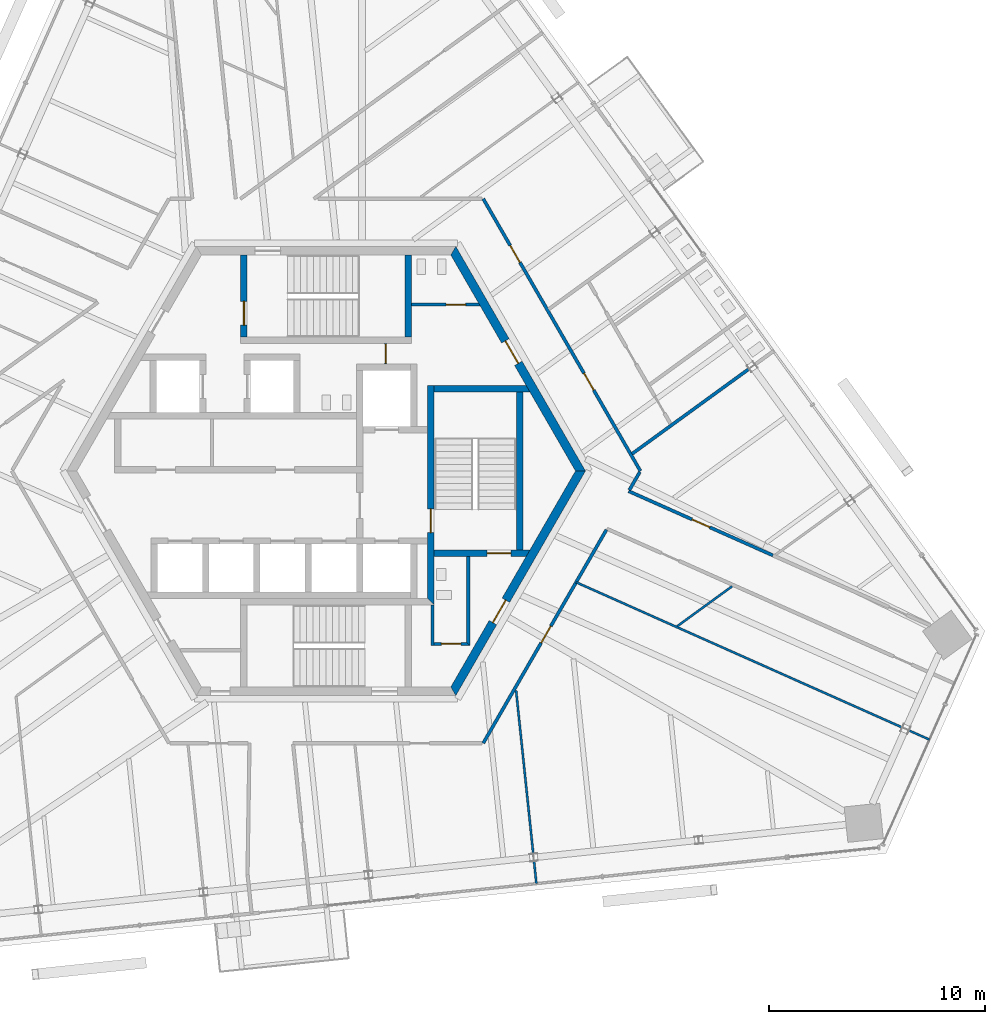
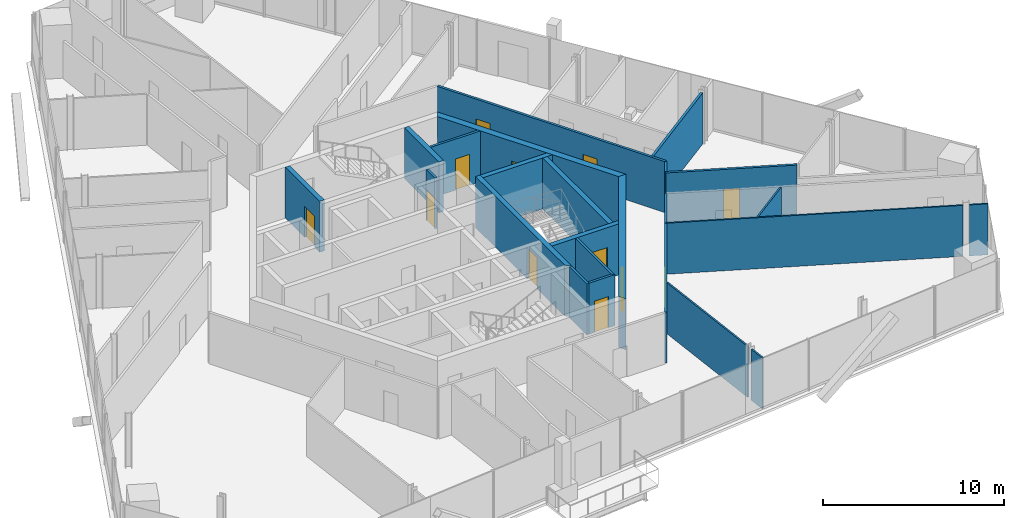
# One storey, part 13 of 19: 23 walls, 12 doors, 12 openings.
"""IFC4 building model written with IfcOpenShell, lengths in metres."""

from ifc_helpers import new_model, si_unit, direction, frame, frame_2d, origin, place, context, subcontext, project, spatial, polyline, rectangle, outline, extrude, source, transform, mapped, material, layer, layer_set, type_object, element, fill, save


model = new_model("IFC4")

# Units and contexts
model_context = context("Model", 3, precision=1e-05, world=origin(), true_north=direction((0.0, 1.0)))
body_context = subcontext(model_context, "Body", "Model", "MODEL_VIEW")
ifc_project = project(units=[si_unit("LENGTHUNIT", "METRE"), si_unit("AREAUNIT", "SQUARE_METRE"), si_unit("VOLUMEUNIT", "CUBIC_METRE"), si_unit("PLANEANGLEUNIT", "RADIAN"), si_unit("MASSUNIT", "GRAM", prefix="KILO")], contexts=[model_context])

# Site, building, storey
site_placement = place(None, origin())
site = spatial("IfcSite", under=ifc_project, at=site_placement, CompositionType="ELEMENT")
building_placement = place(site_placement, origin())
building = spatial("IfcBuilding", under=site, at=building_placement, Name="Triune Harvest Tower", CompositionType="ELEMENT")
storey_placement = place(building_placement, frame((0.0, 0.0, 244.89990234375)))
storey = spatial("IfcBuildingStorey", under=building, at=storey_placement, Name="L64", CompositionType="ELEMENT", Elevation=244.89990234375)

# Wall, opening, door
ifc_material_1 = material(Name="Gypsum board on steel studs", Category="steel")
ifc_layer_1 = layer(ifc_material_1, 0.14990234375)
ifc_layer_set_1 = layer_set([ifc_layer_1], Name="Gypsum board on steel studs")
wall_type_1 = type_object("IfcWallType", Name="Fire Partition 150 mm", PredefinedType="PARTITIONING", material=ifc_layer_set_1)
wall_1_placement = place(storey_placement, frame((14.000244140625, -0.935546875, 0.0), z_axis=(0.0, 0.0, 1.0), x_axis=(0.913546612012, -0.40673405031, 0.0)))
wall_1 = element("IfcWall", 1, at=wall_1_placement, inside=storey, type_object=wall_type_1, Name="Partition L64 026", PredefinedType="PARTITIONING", context=body_context, shape_type="SweptSolid", body=[
    extrude(rectangle(XDim=7.301513671875, YDim=0.14990234375, at=frame_2d((3.65087890625, 0.0))), origin(), (0.0, 0.0, 1.0), 3.440185546875),
])
opening_1_placement = place(wall_1_placement, frame((3.208740234375, 0.0, 0.0)))
opening_1 = element("IfcOpeningElement", 2, at=opening_1_placement, cuts=wall_1, Name="Opening L64-003", PredefinedType="OPENING", context=body_context, shape_type="SweptSolid", body=[
    extrude(rectangle(XDim=0.89990234375, YDim=2.10009765625, at=frame_2d((0.449951171875, 1.050048828125))), frame((0.0, 0.0849609375, 0.0), z_axis=(0.0, -1.0, 0.0), x_axis=(1.0, 0.0, 0.0)), (0.0, 0.0, 1.0), 0.169921875),
])
ifc_material_2 = material(Name="Timber and steel door set", Category="steel")
door_type_1 = type_object("IfcDoorType", Name="Single leaf door FD30 left hand 900 x 2100", OperationType="SINGLE_SWING_LEFT", PredefinedType="DOOR", material=ifc_material_2)
door_1_placement = place(opening_1_placement, origin())
door_1 = element("IfcDoor", 3, at=door_1_placement, inside=storey, type_object=door_type_1, Name="Door L64-003 Project Room 64.03", OperationType="SINGLE_SWING_LEFT", OverallHeight=2.10009765625, OverallWidth=0.89990234375, PredefinedType="DOOR", context=body_context, shape_type="SweptSolid", body=[
    extrude(rectangle(XDim=0.89990234375, YDim=2.10009765625, at=frame_2d((0.449951171875, 1.050048828125))), frame((0.0, 0.02490234375, 0.0), z_axis=(0.0, -1.0, 0.0), x_axis=(1.0, 0.0, 0.0)), (0.0, 0.0, 1.0), 0.050048828125),
])
fill(opening_1, door_1)

# Wall
wall_2_placement = place(storey_placement, frame((14.15283203125, 0.790283203125, 0.0), z_axis=(0.0, 0.0, 1.0), x_axis=(0.809008364144, 0.587797130602, 0.0)))
element("IfcWall", 4, at=wall_2_placement, inside=storey, type_object=wall_type_1, Name="Partition L64 039", PredefinedType="PARTITIONING", context=body_context, shape_type="SweptSolid", body=[
    extrude(rectangle(XDim=6.705810546875, YDim=0.14990234375, at=frame_2d((3.35302734375, 0.0))), origin(), (0.0, 0.0, 1.0), 3.440185546875),
])

# Wall, opening, door
wall_3_placement = place(storey_placement, frame((7.2705078125, -12.59228515625, 0.0), z_axis=(0.0, 0.0, 1.0), x_axis=(0.499972122318, 0.866041498374, 0.0)))
wall_3 = element("IfcWall", 5, at=wall_3_placement, inside=storey, type_object=wall_type_1, Name="Partition L64 053", PredefinedType="PARTITIONING", context=body_context, shape_type="SweptSolid", body=[
    extrude(rectangle(XDim=11.399169921875, YDim=0.14990234375, at=frame_2d((5.69970703125, 0.0))), origin(), (0.0, 0.0, 1.0), 3.440185546875),
])
opening_2_placement = place(wall_3_placement, frame((5.353515625, 0.0, 0.0)))
opening_2 = element("IfcOpeningElement", 6, at=opening_2_placement, cuts=wall_3, Name="Opening L64-024", PredefinedType="OPENING", context=body_context, shape_type="SweptSolid", body=[
    extrude(rectangle(XDim=0.89990234375, YDim=2.10009765625, at=frame_2d((0.449951171875, 1.050048828125))), frame((0.0, 0.0849609375, 0.0), z_axis=(0.0, -1.0, 0.0), x_axis=(1.0, 0.0, 0.0)), (0.0, 0.0, 1.0), 0.169921875),
])
door_2_placement = place(opening_2_placement, origin())
door_2 = element("IfcDoor", 7, at=door_2_placement, inside=storey, type_object=door_type_1, Name="Door L64-024 Pantry 64.24", OperationType="SINGLE_SWING_LEFT", OverallHeight=2.10009765625, OverallWidth=0.89990234375, PredefinedType="DOOR", context=body_context, shape_type="SweptSolid", body=[
    extrude(rectangle(XDim=0.89990234375, YDim=2.10009765625, at=frame_2d((0.449951171875, 1.050048828125))), frame((0.0, 0.02490234375, 0.0), z_axis=(0.0, -1.0, 0.0), x_axis=(1.0, 0.0, 0.0)), (0.0, 0.0, 1.0), 0.050048828125),
])
fill(opening_2, door_2)

# Walls
ifc_material_3 = material(Name="Gypsum board on steel studs", Category="steel")
ifc_layer_2 = layer(ifc_material_3, 0.10009765625)
ifc_layer_set_2 = layer_set([ifc_layer_2], Name="Gypsum board on steel studs")
wall_type_2 = type_object("IfcWallType", Name="Partition 100 mm", PredefinedType="PARTITIONING", material=ifc_layer_set_2)
wall_4_placement = place(storey_placement, frame((8.78857421875, -10.150390625, 0.0), z_axis=(0.0, 0.0, 1.0), x_axis=(0.104536087369, -0.994521094013, 0.0)))
element("IfcWall", 8, at=wall_4_placement, inside=storey, type_object=wall_type_2, Name="Partition L64 013", PredefinedType="PARTITIONING", context=body_context, shape_type="SweptSolid", body=[
    extrude(rectangle(XDim=7.606689453125, YDim=0.10009765625, at=frame_2d((3.80322265625, 0.0))), origin(), (0.0, 0.0, 1.0), 3.440185546875),
])
wall_5_placement = place(storey_placement, frame((11.56689453125, -5.14990234375, 0.0), z_axis=(0.0, 0.0, 1.0), x_axis=(0.913548030492, -0.406730864311, 0.0)))
element("IfcWall", 9, at=wall_5_placement, inside=storey, type_object=wall_type_2, Name="Partition L64 021", PredefinedType="PARTITIONING", context=body_context, shape_type="SweptSolid", body=[
    extrude(rectangle(XDim=16.5166015625, YDim=0.10009765625, at=frame_2d((8.25830078125, 0.0))), origin(), (0.0, 0.0, 1.0), 3.440185546875),
])
wall_6_placement = place(storey_placement, frame((16.250244140625, -7.177978515625, 0.0), z_axis=(0.0, 0.0, 1.0), x_axis=(0.809046416556, 0.587744754003, 0.0)))
element("IfcWall", 10, at=wall_6_placement, inside=storey, type_object=wall_type_2, Name="Partition L64 036", PredefinedType="PARTITIONING", context=body_context, shape_type="SweptSolid", body=[
    extrude(rectangle(XDim=3.128662109375, YDim=0.10009765625, at=frame_2d((1.564453125, 0.0))), origin(), (0.0, 0.0, 1.0), 3.440185546875),
])

# Wall, opening, door
ifc_material_4 = material(Name="Concrete 70 MPa", Category="concrete")
ifc_layer_3 = layer(ifc_material_4, 0.39990234375)
ifc_layer_set_3 = layer_set([ifc_layer_3], Name="Concrete 70 MPa")
wall_type_3 = type_object("IfcWallType", Name="Core wall 400", PredefinedType="SHEAR", material=ifc_layer_set_3)
shared_shape_1 = source(origin(), body_context, "Body", "SweptSolid", [
    extrude(outline(polyline([(-0.115478515625, -0.199951171875), (11.884521484375, -0.199951171875), (11.653564453125, 0.199951171875), (0.115478515625, 0.199951171875), (-0.115478515625, -0.199951171875)])), origin(), (0.0, 0.0, 1.0), 3.440185546875),
])
wall_7_placement = place(storey_placement, frame((11.76904296875, 0.0, 0.0), z_axis=(0.0, 0.0, 1.0), x_axis=(-0.499996592174, 0.866027371285, 0.0)))
wall_7 = element("IfcWall", 11, at=wall_7_placement, inside=storey, type_object=wall_type_3, Name="Hexagon 0 wall", PredefinedType="SHEAR", context=body_context, shape_type="MappedRepresentation", body=[
    mapped(shared_shape_1, transform((0.0, 0.0, 0.0), scale=1.0)),
])
opening_3_placement = place(wall_7_placement, frame((5.75048828125, 0.0, 0.0)))
opening_3 = element("IfcOpeningElement", 12, at=opening_3_placement, cuts=wall_7, Name="Opening CD-WCP", PredefinedType="OPENING", context=body_context, shape_type="SweptSolid", body=[
    extrude(rectangle(XDim=1.199951171875, YDim=2.10009765625, at=frame_2d((0.60009765625, 1.050048828125))), frame((0.0, 0.2099609375, 0.0), z_axis=(0.0, -1.0, 0.0), x_axis=(1.0, 0.0, 0.0)), (0.0, 0.0, 1.0), 0.419921875),
])
ifc_material_5 = material(Name="Steel S235", Category="steel")
door_type_2 = type_object("IfcDoorType", Name="Lobby door 1200 FD120", OperationType="SINGLE_SWING_LEFT", PredefinedType="DOOR", material=ifc_material_5)
door_3_placement = place(opening_3_placement, frame((1.199951171875, 0.0, 0.0), z_axis=(0.0, 0.0, 1.0), x_axis=(-1.0, 0.0, 0.0)))
door_3 = element("IfcDoor", 13, at=door_3_placement, inside=storey, type_object=door_type_2, Name="Door CD-WCP", OperationType="SINGLE_SWING_RIGHT", OverallHeight=2.10009765625, OverallWidth=1.199951171875, PredefinedType="DOOR", context=body_context, shape_type="SweptSolid", body=[
    extrude(rectangle(XDim=1.199951171875, YDim=2.10009765625, at=frame_2d((0.60009765625, 1.050048828125))), frame((0.0, 0.02490234375, 0.0), z_axis=(0.0, -1.0, 0.0), x_axis=(1.0, 0.0, 0.0)), (0.0, 0.0, 1.0), 0.050048828125),
])
fill(opening_3, door_3)

wall_8_placement = place(storey_placement, frame((5.884521484375, -10.1923828125, 0.0), z_axis=(0.0, 0.0, 1.0), x_axis=(0.499996592174, 0.866027371285, 0.0)))
wall_8 = element("IfcWall", 14, at=wall_8_placement, inside=storey, type_object=wall_type_3, Name="Hexagon 5 wall", PredefinedType="SHEAR", context=body_context, shape_type="MappedRepresentation", body=[
    mapped(shared_shape_1, transform((0.0, 0.0, 0.0), scale=1.0)),
])
opening_4_placement = place(wall_8_placement, frame((3.66455078125, 0.0, 0.0)))
opening_4 = element("IfcOpeningElement", 15, at=opening_4_placement, cuts=wall_8, Name="Opening CD-DP", PredefinedType="OPENING", context=body_context, shape_type="SweptSolid", body=[
    extrude(rectangle(XDim=1.199951171875, YDim=2.10009765625, at=frame_2d((0.60009765625, 1.050048828125))), frame((0.0, 0.2099609375, 0.0), z_axis=(0.0, -1.0, 0.0), x_axis=(1.0, 0.0, 0.0)), (0.0, 0.0, 1.0), 0.419921875),
])
ifc_material_6 = material(Name="Steel S235", Category="steel")
door_type_3 = type_object("IfcDoorType", Name="Stair door 1200 FD120", OperationType="SINGLE_SWING_LEFT", PredefinedType="DOOR", material=ifc_material_6)
door_4_placement = place(opening_4_placement, frame((1.199951171875, 0.0, 0.0), z_axis=(0.0, 0.0, 1.0), x_axis=(-1.0, 0.0, 0.0)))
door_4 = element("IfcDoor", 16, at=door_4_placement, inside=storey, type_object=door_type_3, Name="Door CD-DP", OperationType="SINGLE_SWING_RIGHT", OverallHeight=2.10009765625, OverallWidth=1.199951171875, PredefinedType="DOOR", context=body_context, shape_type="SweptSolid", body=[
    extrude(rectangle(XDim=1.199951171875, YDim=2.10009765625, at=frame_2d((0.60009765625, 1.050048828125))), frame((0.0, 0.02490234375, 0.0), z_axis=(0.0, -1.0, 0.0), x_axis=(1.0, 0.0, 0.0)), (0.0, 0.0, 1.0), 0.050048828125),
])
fill(opening_4, door_4)

ifc_material_7 = material(Name="Concrete 70 MPa", Category="concrete")
ifc_layer_4 = layer(ifc_material_7, 0.300048828125)
ifc_layer_set_4 = layer_set([ifc_layer_4], Name="Concrete 70 MPa")
wall_type_4 = type_object("IfcWallType", Name="Core wall 300", PredefinedType="SHEAR", material=ifc_layer_set_4)
shared_shape_2 = source(origin(), body_context, "Body", "SweptSolid", [
    extrude(outline(polyline([(-0.14990234375, -0.14990234375), (9.989990234375, -0.14990234375), (9.989990234375, 0.14990234375), (0.14990234375, 0.14990234375), (-0.14990234375, -0.14990234375)])), origin(), (0.0, 0.0, 1.0), 3.440185546875),
])
wall_9_placement = place(storey_placement, frame((4.85009765625, -6.0400390625, 0.0), z_axis=(0.0, 0.0, 1.0), x_axis=(0.0, 1.0, 0.0)))
wall_9 = element("IfcWall", 17, at=wall_9_placement, inside=storey, type_object=wall_type_4, Name="Stair e west wall", PredefinedType="SHEAR", context=body_context, shape_type="MappedRepresentation", body=[
    mapped(shared_shape_2, transform((0.0, 0.0, 0.0), scale=1.0)),
])
opening_5_placement = place(wall_9_placement, frame((3.18994140625, 0.0, 0.0)))
opening_5 = element("IfcOpeningElement", 18, at=opening_5_placement, cuts=wall_9, Name="Opening CD-S3L", PredefinedType="OPENING", context=body_context, shape_type="SweptSolid", body=[
    extrude(rectangle(XDim=1.10009765625, YDim=2.10009765625, at=frame_2d((0.550048828125, 1.050048828125))), frame((0.0, 0.16015625, 0.0), z_axis=(0.0, -1.0, 0.0), x_axis=(1.0, 0.0, 0.0)), (0.0, 0.0, 1.0), 0.320068359375),
])
ifc_material_8 = material(Name="Steel S235", Category="steel")
door_type_4 = type_object("IfcDoorType", Name="Stair door 1100 FD120", OperationType="SINGLE_SWING_LEFT", PredefinedType="DOOR", material=ifc_material_8)
door_5_placement = place(opening_5_placement, frame((1.10009765625, 0.0, 0.0), z_axis=(0.0, 0.0, 1.0), x_axis=(-1.0, 0.0, 0.0)))
door_5 = element("IfcDoor", 19, at=door_5_placement, inside=storey, type_object=door_type_4, Name="Door CD-S3L", OperationType="SINGLE_SWING_RIGHT", OverallHeight=2.10009765625, OverallWidth=1.10009765625, PredefinedType="DOOR", context=body_context, shape_type="SweptSolid", body=[
    extrude(rectangle(XDim=1.10009765625, YDim=2.10009765625, at=frame_2d((0.550048828125, 1.050048828125))), frame((0.0, 0.02490234375, 0.0), z_axis=(0.0, -1.0, 0.0), x_axis=(1.0, 0.0, 0.0)), (0.0, 0.0, 1.0), 0.050048828125),
])
fill(opening_5, door_5)

# Wall
shared_shape_3 = source(origin(), body_context, "Body", "SweptSolid", [
    extrude(outline(polyline([(0.0, -0.14990234375), (0.0, 0.14990234375), (4.260009765625, 0.14990234375), (4.43310546875, -0.14990234375), (0.0, -0.14990234375)])), origin(), (0.0, 0.0, 1.0), 3.440185546875),
])
wall_10_placement = place(storey_placement, frame((5.0, 3.800048828125, 0.0), z_axis=(0.0, 0.0, 1.0), x_axis=(1.0, 0.0, 0.0)))
element("IfcWall", 20, at=wall_10_placement, inside=storey, type_object=wall_type_4, Name="Stair e north wall", PredefinedType="SHEAR", context=body_context, shape_type="MappedRepresentation", body=[
    mapped(shared_shape_3, transform((0.0, 0.0, 0.0), scale=1.0)),
])

# Wall, opening, door
shared_shape_4 = source(origin(), body_context, "Body", "SweptSolid", [
    extrude(outline(polyline([(0.0, -0.14990234375), (0.0, 0.14990234375), (4.43310546875, 0.14990234375), (4.260009765625, -0.14990234375), (0.0, -0.14990234375)])), origin(), (0.0, 0.0, 1.0), 3.440185546875),
])
wall_11_placement = place(storey_placement, frame((5.0, -3.800048828125, 0.0), z_axis=(0.0, 0.0, 1.0), x_axis=(1.0, 0.0, 0.0)))
wall_11 = element("IfcWall", 21, at=wall_11_placement, inside=storey, type_object=wall_type_4, Name="Stair e south wall", PredefinedType="SHEAR", context=body_context, shape_type="MappedRepresentation", body=[
    mapped(shared_shape_4, transform((0.0, 0.0, 0.0), scale=1.0)),
])
opening_6_placement = place(wall_11_placement, frame((2.449951171875, 0.0, 0.0)))
opening_6 = element("IfcOpeningElement", 22, at=opening_6_placement, cuts=wall_11, Name="Opening CD-S3D", PredefinedType="OPENING", context=body_context, shape_type="SweptSolid", body=[
    extrude(rectangle(XDim=1.10009765625, YDim=2.10009765625, at=frame_2d((0.550048828125, 1.050048828125))), frame((0.0, 0.16015625, 0.0), z_axis=(0.0, -1.0, 0.0), x_axis=(1.0, 0.0, 0.0)), (0.0, 0.0, 1.0), 0.320068359375),
])
door_6_placement = place(opening_6_placement, frame((1.10009765625, 0.0, 0.0), z_axis=(0.0, 0.0, 1.0), x_axis=(-1.0, 0.0, 0.0)))
door_6 = element("IfcDoor", 23, at=door_6_placement, inside=storey, type_object=door_type_4, Name="Door CD-S3D", OperationType="SINGLE_SWING_RIGHT", OverallHeight=2.10009765625, OverallWidth=1.10009765625, PredefinedType="DOOR", context=body_context, shape_type="SweptSolid", body=[
    extrude(rectangle(XDim=1.10009765625, YDim=2.10009765625, at=frame_2d((0.550048828125, 1.050048828125))), frame((0.0, 0.02490234375, 0.0), z_axis=(0.0, -1.0, 0.0), x_axis=(1.0, 0.0, 0.0)), (0.0, 0.0, 1.0), 0.050048828125),
])
fill(opening_6, door_6)

# Wall
shared_shape_5 = source(origin(), body_context, "Body", "SweptSolid", [
    extrude(rectangle(XDim=7.2998046875, YDim=0.300048828125, at=frame_2d((3.64990234375, 0.0))), origin(), (0.0, 0.0, 1.0), 3.440185546875),
])
wall_12_placement = place(storey_placement, frame((8.949951171875, -3.64990234375, 0.0), z_axis=(0.0, 0.0, 1.0), x_axis=(0.0, 1.0, 0.0)))
element("IfcWall", 24, at=wall_12_placement, inside=storey, type_object=wall_type_4, Name="Stair e east wall", PredefinedType="SHEAR", context=body_context, shape_type="MappedRepresentation", body=[
    mapped(shared_shape_5, transform((0.0, 0.0, 0.0), scale=1.0)),
])

# Wall, opening, door
shared_shape_6 = source(origin(), body_context, "Body", "SweptSolid", [
    extrude(outline(polyline([(0.0, -0.14990234375), (0.0, 0.14990234375), (3.80419921875, 0.14990234375), (3.80419921875, -0.14990234375), (0.0, -0.14990234375)])), origin(), (0.0, 0.0, 1.0), 3.440185546875),
])
wall_13_placement = place(storey_placement, frame((-3.800048828125, 6.18994140625, 0.0), z_axis=(0.0, 0.0, 1.0), x_axis=(0.0, 1.0, 0.0)))
wall_13 = element("IfcWall", 25, at=wall_13_placement, inside=storey, type_object=wall_type_4, Name="Stair n west wall", PredefinedType="SHEAR", context=body_context, shape_type="MappedRepresentation", body=[
    mapped(shared_shape_6, transform((0.0, 0.0, 0.0), scale=1.0)),
])
opening_7_placement = place(wall_13_placement, frame((0.56005859375, 0.0, 0.0)))
opening_7 = element("IfcOpeningElement", 26, at=opening_7_placement, cuts=wall_13, Name="Opening CD-S1L", PredefinedType="OPENING", context=body_context, shape_type="SweptSolid", body=[
    extrude(rectangle(XDim=1.10009765625, YDim=2.10009765625, at=frame_2d((0.550048828125, 1.050048828125))), frame((0.0, 0.16015625, 0.0), z_axis=(0.0, -1.0, 0.0), x_axis=(1.0, 0.0, 0.0)), (0.0, 0.0, 1.0), 0.320068359375),
])
door_7_placement = place(opening_7_placement, frame((1.10009765625, 0.0, 0.0), z_axis=(0.0, 0.0, 1.0), x_axis=(-1.0, 0.0, 0.0)))
door_7 = element("IfcDoor", 27, at=door_7_placement, inside=storey, type_object=door_type_4, Name="Door CD-S1L", OperationType="SINGLE_SWING_RIGHT", OverallHeight=2.10009765625, OverallWidth=1.10009765625, PredefinedType="DOOR", context=body_context, shape_type="SweptSolid", body=[
    extrude(rectangle(XDim=1.10009765625, YDim=2.10009765625, at=frame_2d((0.550048828125, 1.050048828125))), frame((0.0, 0.02490234375, 0.0), z_axis=(0.0, -1.0, 0.0), x_axis=(1.0, 0.0, 0.0)), (0.0, 0.0, 1.0), 0.050048828125),
])
fill(opening_7, door_7)

# Wall
wall_14_placement = place(storey_placement, frame((3.800048828125, 6.18994140625, 0.0), z_axis=(0.0, 0.0, 1.0), x_axis=(0.0, 1.0, 0.0)))
element("IfcWall", 28, at=wall_14_placement, inside=storey, type_object=wall_type_4, Name="Stair n east wall", PredefinedType="SHEAR", context=body_context, shape_type="MappedRepresentation", body=[
    mapped(shared_shape_6, transform((0.0, 0.0, 0.0), scale=1.0)),
])

# Wall, opening, door
ifc_material_9 = material(Name="Concrete masonry unit", Category="masonry")
ifc_layer_5 = layer(ifc_material_9, 0.14990234375)
ifc_layer_set_5 = layer_set([ifc_layer_5], Name="Concrete masonry unit")
wall_type_5 = type_object("IfcWallType", Name="Block partition 150 unrated", PredefinedType="PARTITIONING", material=ifc_layer_set_5)
shared_shape_7 = source(origin(), body_context, "Body", "SweptSolid", [
    extrude(outline(polyline([(0.0, -0.074951171875), (1.64990234375, -0.074951171875), (1.5, 0.074951171875), (0.0, 0.074951171875), (0.0, -0.074951171875)])), origin(), (0.0, 0.0, 1.0), 3.440185546875),
])
wall_15_placement = place(storey_placement, frame((5.0, -8.0, 0.0), z_axis=(0.0, 0.0, 1.0), x_axis=(1.0, 0.0, 0.0)))
wall_15 = element("IfcWall", 29, at=wall_15_placement, inside=storey, type_object=wall_type_5, Name="Wc acc south wall", PredefinedType="PARTITIONING", context=body_context, shape_type="MappedRepresentation", body=[
    mapped(shared_shape_7, transform((0.0, 0.0, 0.0), scale=1.0)),
])
opening_8_placement = place(wall_15_placement, frame((0.33740234375, 0.0, 0.0)))
opening_8 = element("IfcOpeningElement", 30, at=opening_8_placement, cuts=wall_15, Name="Opening CD-WA", PredefinedType="OPENING", context=body_context, shape_type="SweptSolid", body=[
    extrude(rectangle(XDim=0.89990234375, YDim=2.10009765625, at=frame_2d((0.449951171875, 1.050048828125))), frame((0.0, 0.0849609375, 0.0), z_axis=(0.0, -1.0, 0.0), x_axis=(1.0, 0.0, 0.0)), (0.0, 0.0, 1.0), 0.169921875),
])
ifc_material_10 = material(Name="Timber C24", Category="wood")
door_type_5 = type_object("IfcDoorType", Name="WC door 900", OperationType="SINGLE_SWING_LEFT", PredefinedType="DOOR", material=ifc_material_10)
door_8_placement = place(opening_8_placement, origin())
door_8 = element("IfcDoor", 31, at=door_8_placement, inside=storey, type_object=door_type_5, Name="Door CD-WA", OperationType="SINGLE_SWING_LEFT", OverallHeight=2.10009765625, OverallWidth=0.89990234375, PredefinedType="DOOR", context=body_context, shape_type="SweptSolid", body=[
    extrude(rectangle(XDim=0.89990234375, YDim=2.10009765625, at=frame_2d((0.449951171875, 1.050048828125))), frame((0.0, 0.02490234375, 0.0), z_axis=(0.0, -1.0, 0.0), x_axis=(1.0, 0.0, 0.0)), (0.0, 0.0, 1.0), 0.050048828125),
])
fill(opening_8, door_8)

# Walls
shared_shape_8 = source(origin(), body_context, "Body", "SweptSolid", [
    extrude(outline(polyline([(-0.074951171875, -0.074951171875), (4.050048828125, -0.074951171875), (4.050048828125, 0.074951171875), (0.074951171875, 0.074951171875), (-0.074951171875, -0.074951171875)])), origin(), (0.0, 0.0, 1.0), 3.440185546875),
])
wall_16_placement = place(storey_placement, frame((6.574951171875, -8.0, 0.0), z_axis=(0.0, 0.0, 1.0), x_axis=(0.0, 1.0, 0.0)))
element("IfcWall", 32, at=wall_16_placement, inside=storey, type_object=wall_type_5, Name="Wc acc east wall", PredefinedType="PARTITIONING", context=body_context, shape_type="MappedRepresentation", body=[
    mapped(shared_shape_8, transform((0.0, 0.0, 0.0), scale=1.0)),
])
shared_shape_9 = source(origin(), body_context, "Body", "SweptSolid", [
    extrude(rectangle(XDim=1.885009765625, YDim=0.14990234375, at=frame_2d((0.9423828125, 0.0))), origin(), (0.0, 0.0, 1.0), 3.440185546875),
])
wall_17_placement = place(storey_placement, frame((4.925048828125, -8.074951171875, 0.0), z_axis=(0.0, 0.0, 1.0), x_axis=(0.0, 1.0, 0.0)))
element("IfcWall", 33, at=wall_17_placement, inside=storey, type_object=wall_type_5, Name="Wc acc west wall", PredefinedType="PARTITIONING", context=body_context, shape_type="MappedRepresentation", body=[
    mapped(shared_shape_9, transform((0.0, 0.0, 0.0), scale=1.0)),
])

# Wall, opening, door
shared_shape_10 = source(origin(), body_context, "Body", "SweptSolid", [
    extrude(outline(polyline([(0.0, -0.074951171875), (0.0, 0.074951171875), (3.1015625, 0.074951171875), (3.18798828125, -0.074951171875), (0.0, -0.074951171875)])), origin(), (0.0, 0.0, 1.0), 3.440185546875),
])
wall_18_placement = place(storey_placement, frame((3.949951171875, 7.699951171875, 0.0), z_axis=(0.0, 0.0, 1.0), x_axis=(1.0, 0.0, 0.0)))
wall_18 = element("IfcWall", 34, at=wall_18_placement, inside=storey, type_object=wall_type_5, Name="Wc women south wall", PredefinedType="PARTITIONING", context=body_context, shape_type="MappedRepresentation", body=[
    mapped(shared_shape_10, transform((0.0, 0.0, 0.0), scale=1.0)),
])
opening_9_placement = place(wall_18_placement, frame((1.60009765625, 0.0, 0.0)))
opening_9 = element("IfcOpeningElement", 35, at=opening_9_placement, cuts=wall_18, Name="Opening CD-WW", PredefinedType="OPENING", context=body_context, shape_type="SweptSolid", body=[
    extrude(rectangle(XDim=0.89990234375, YDim=2.10009765625, at=frame_2d((0.449951171875, 1.050048828125))), frame((0.0, 0.0849609375, 0.0), z_axis=(0.0, -1.0, 0.0), x_axis=(1.0, 0.0, 0.0)), (0.0, 0.0, 1.0), 0.169921875),
])
door_9_placement = place(opening_9_placement, origin())
door_9 = element("IfcDoor", 36, at=door_9_placement, inside=storey, type_object=door_type_5, Name="Door CD-WW", OperationType="SINGLE_SWING_LEFT", OverallHeight=2.10009765625, OverallWidth=0.89990234375, PredefinedType="DOOR", context=body_context, shape_type="SweptSolid", body=[
    extrude(rectangle(XDim=0.89990234375, YDim=2.10009765625, at=frame_2d((0.449951171875, 1.050048828125))), frame((0.0, 0.02490234375, 0.0), z_axis=(0.0, -1.0, 0.0), x_axis=(1.0, 0.0, 0.0)), (0.0, 0.0, 1.0), 0.050048828125),
])
fill(opening_9, door_9)

shared_shape_11 = source(origin(), body_context, "Body", "SweptSolid", [
    extrude(rectangle(XDim=0.929931640625, YDim=0.14990234375, at=frame_2d((0.46484375, 0.0))), origin(), (0.0, 0.0, 1.0), 3.440185546875),
])
wall_19_placement = place(storey_placement, frame((2.75, 4.9599609375, 0.0), z_axis=(0.0, 0.0, 1.0), x_axis=(0.0, 1.0, 0.0)))
wall_19 = element("IfcWall", 37, at=wall_19_placement, inside=storey, type_object=wall_type_5, Name="Wc men east b wall", PredefinedType="PARTITIONING", context=body_context, shape_type="MappedRepresentation", body=[
    mapped(shared_shape_11, transform((0.0, 0.0, 0.0), scale=1.0)),
])
opening_10_placement = place(wall_19_placement, frame((0.014892578125, 0.0, 0.0)))
opening_10 = element("IfcOpeningElement", 38, at=opening_10_placement, cuts=wall_19, Name="Opening CD-WM", PredefinedType="OPENING", context=body_context, shape_type="SweptSolid", body=[
    extrude(rectangle(XDim=0.89990234375, YDim=2.10009765625, at=frame_2d((0.449951171875, 1.050048828125))), frame((0.0, 0.0849609375, 0.0), z_axis=(0.0, -1.0, 0.0), x_axis=(1.0, 0.0, 0.0)), (0.0, 0.0, 1.0), 0.169921875),
])
door_10_placement = place(opening_10_placement, origin())
door_10 = element("IfcDoor", 39, at=door_10_placement, inside=storey, type_object=door_type_5, Name="Door CD-WM", OperationType="SINGLE_SWING_LEFT", OverallHeight=2.10009765625, OverallWidth=0.89990234375, PredefinedType="DOOR", context=body_context, shape_type="SweptSolid", body=[
    extrude(rectangle(XDim=0.89990234375, YDim=2.10009765625, at=frame_2d((0.449951171875, 1.050048828125))), frame((0.0, 0.02490234375, 0.0), z_axis=(0.0, -1.0, 0.0), x_axis=(1.0, 0.0, 0.0)), (0.0, 0.0, 1.0), 0.050048828125),
])
fill(opening_10, door_10)

# Walls
shared_shape_12 = source(origin(), body_context, "Body", "SweptSolid", [
    extrude(rectangle(XDim=1.0478515625, YDim=0.10009765625, at=frame_2d((0.52392578125, 0.0))), origin(), (0.0, 0.0, 1.0), 3.440185546875),
])
for number, where, z_axis, x_axis, name in (
    (40, (9.618896484375, -18.04931640625, 0.0), (0.0, 0.0, 1.0), (0.104624136351, -0.994511835069, 0.0), "Partition L64 014"),
    (41, (26.9619140625, -12.004150390625, 0.0), (0.0, 0.0, 1.0), (0.91352309314, -0.406786870855, 0.0), "Partition L64 022"),
):
    element("IfcWall", number, at=place(storey_placement, frame(where, z_axis=z_axis, x_axis=x_axis)), inside=storey, type_object=wall_type_2, Name=name, PredefinedType="PARTITIONING", context=body_context, shape_type="MappedRepresentation", body=[
        mapped(shared_shape_12, transform((0.0, 0.0, 0.0), scale=1.0)),
    ])

# Wall, openings, doors
shared_shape_13 = source(origin(), body_context, "Body", "SweptSolid", [
    extrude(rectangle(XDim=14.540283203125, YDim=0.14990234375, at=frame_2d((7.27001953125, 0.0))), origin(), (0.0, 0.0, 1.0), 3.440185546875),
])
wall_20_placement = place(storey_placement, frame((7.27001953125, 12.59228515625, 0.0), z_axis=(0.0, 0.0, 1.0), x_axis=(0.500005387432, -0.866022293327, 0.0)))
wall_20 = element("IfcWall", 42, at=wall_20_placement, inside=storey, type_object=wall_type_1, Name="Partition L64 016", PredefinedType="PARTITIONING", context=body_context, shape_type="MappedRepresentation", body=[
    mapped(shared_shape_13, transform((0.0, 0.0, 0.0), scale=1.0)),
])
opening_11_placement = place(wall_20_placement, frame((9.318603515625, 0.0, 0.0)))
opening_11 = element("IfcOpeningElement", 43, at=opening_11_placement, cuts=wall_20, Name="Opening L64-004", PredefinedType="OPENING", context=body_context, shape_type="SweptSolid", body=[
    extrude(rectangle(XDim=0.89990234375, YDim=2.10009765625, at=frame_2d((0.449951171875, 1.050048828125))), frame((0.0, 0.0849609375, 0.0), z_axis=(0.0, -1.0, 0.0), x_axis=(1.0, 0.0, 0.0)), (0.0, 0.0, 1.0), 0.169921875),
])
opening_12_placement = place(wall_20_placement, frame((2.496826171875, 0.0, 0.0)))
opening_12 = element("IfcOpeningElement", 44, at=opening_12_placement, cuts=wall_20, Name="Opening L64-008", PredefinedType="OPENING", context=body_context, shape_type="SweptSolid", body=[
    extrude(rectangle(XDim=0.89990234375, YDim=2.10009765625, at=frame_2d((0.449951171875, 1.050048828125))), frame((0.0, 0.0849609375, 0.0), z_axis=(0.0, -1.0, 0.0), x_axis=(1.0, 0.0, 0.0)), (0.0, 0.0, 1.0), 0.169921875),
])
door_11_placement = place(opening_12_placement, origin())
door_11 = element("IfcDoor", 45, at=door_11_placement, inside=storey, type_object=door_type_1, Name="Door L64-008 Project Room 64.08", OperationType="SINGLE_SWING_LEFT", OverallHeight=2.10009765625, OverallWidth=0.89990234375, PredefinedType="DOOR", context=body_context, shape_type="SweptSolid", body=[
    extrude(rectangle(XDim=0.89990234375, YDim=2.10009765625, at=frame_2d((0.449951171875, 1.050048828125))), frame((0.0, 0.02490234375, 0.0), z_axis=(0.0, -1.0, 0.0), x_axis=(1.0, 0.0, 0.0)), (0.0, 0.0, 1.0), 0.050048828125),
])
fill(opening_12, door_11)
ifc_material_11 = material(Name="Timber and steel door set", Category="steel")
door_type_6 = type_object("IfcDoorType", Name="Single leaf door FD30 right hand 900 x 2100", OperationType="SINGLE_SWING_RIGHT", PredefinedType="DOOR", material=ifc_material_11)
door_12_placement = place(opening_11_placement, origin())
door_12 = element("IfcDoor", 46, at=door_12_placement, inside=storey, type_object=door_type_6, Name="Door L64-004 WC lobby 64.04", OperationType="SINGLE_SWING_RIGHT", OverallHeight=2.10009765625, OverallWidth=0.89990234375, PredefinedType="DOOR", context=body_context, shape_type="SweptSolid", body=[
    extrude(rectangle(XDim=0.89990234375, YDim=2.10009765625, at=frame_2d((0.449951171875, 1.050048828125))), frame((0.0, 0.02490234375, 0.0), z_axis=(0.0, -1.0, 0.0), x_axis=(1.0, 0.0, 0.0)), (0.0, 0.0, 1.0), 0.050048828125),
])
fill(opening_11, door_12)

# Wall
shared_shape_14 = source(origin(), body_context, "Body", "SweptSolid", [
    extrude(rectangle(XDim=0.97021484375, YDim=0.14990234375, at=frame_2d((0.485107421875, 0.0))), origin(), (0.0, 0.0, 1.0), 3.440185546875),
])
wall_21_placement = place(storey_placement, frame((14.02978515625, -0.8837890625, 0.0), z_axis=(0.0, 0.0, 1.0), x_axis=(0.500252443376, 0.865879606467, 0.0)))
element("IfcWall", 47, at=wall_21_placement, inside=storey, type_object=wall_type_1, Name="Partition L64 054", PredefinedType="PARTITIONING", context=body_context, shape_type="MappedRepresentation", body=[
    mapped(shared_shape_14, transform((0.0, 0.0, 0.0), scale=1.0)),
])

save(model, "model.ifc")
